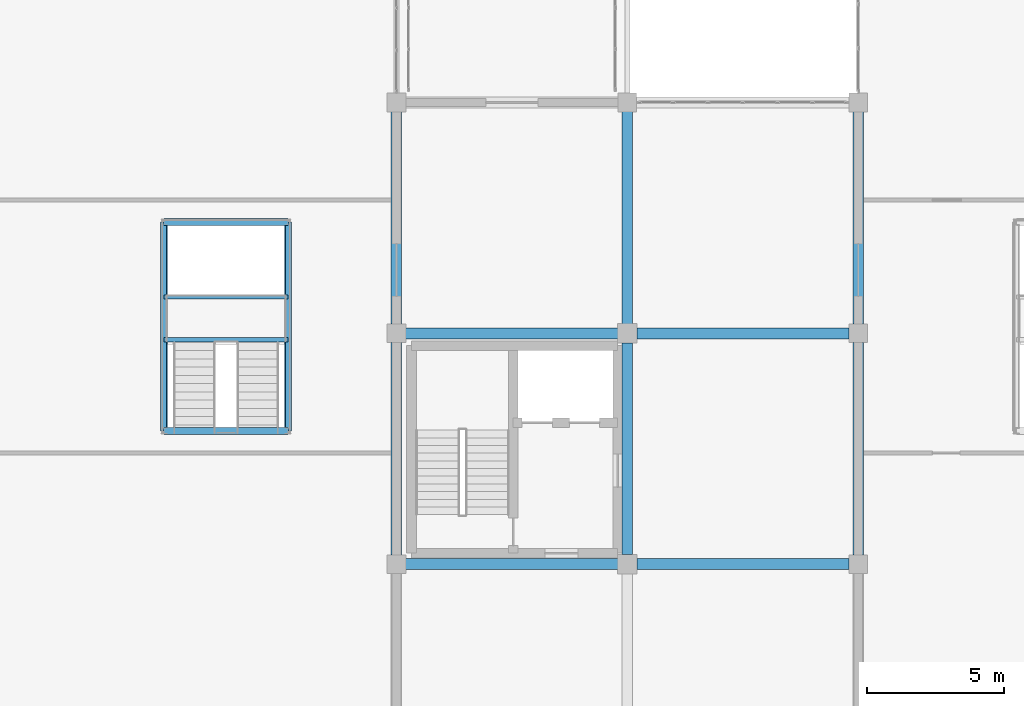
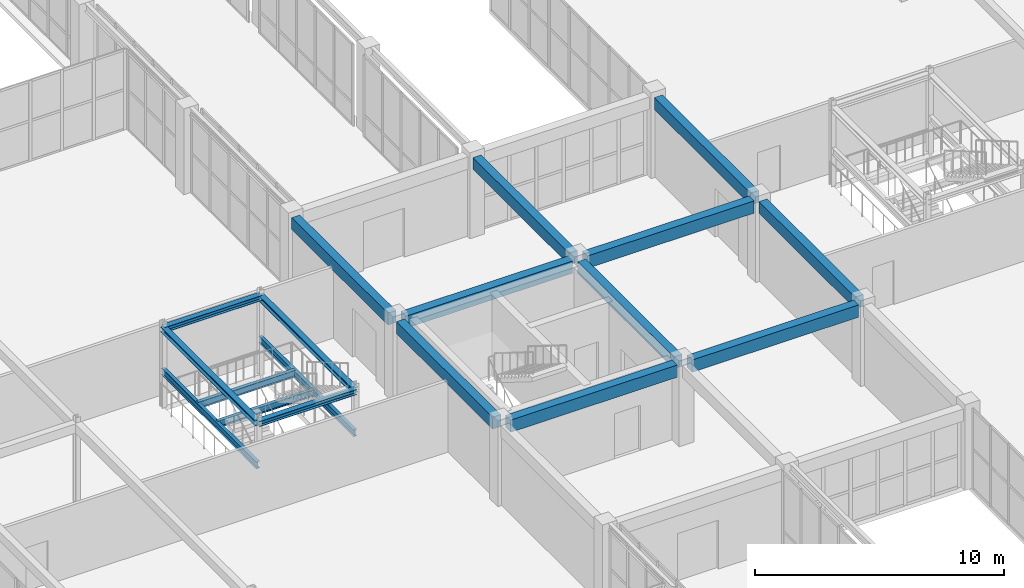
# One storey, part 40 of 140: 18 beams.
"""IFC4 building model written with IfcOpenShell, lengths in metres."""

from ifc_helpers import new_model, si_unit, direction, frame, origin, origin_2d, place, context, subcontext, project, spatial, rectangle, i_section, extrude, material, material_profile, profile_set, type_object, element, save


model = new_model("IFC4")

# Units and contexts
model_context = context("Model", 3, precision=1e-05, world=origin(), true_north=direction((0.0, 1.0)))
body_context = subcontext(model_context, "Body", "Model", "MODEL_VIEW")
ifc_project = project(units=[si_unit("LENGTHUNIT", "METRE"), si_unit("AREAUNIT", "SQUARE_METRE"), si_unit("VOLUMEUNIT", "CUBIC_METRE"), si_unit("PLANEANGLEUNIT", "RADIAN"), si_unit("MASSUNIT", "GRAM", prefix="KILO")], contexts=[model_context])

# Site, building, storey
site_placement = place(None, origin())
site = spatial("IfcSite", under=ifc_project, at=site_placement, CompositionType="ELEMENT")
building_placement = place(site_placement, origin())
building = spatial("IfcBuilding", under=site, at=building_placement, Name="Trelvath General Hospital", CompositionType="ELEMENT")
storey_placement = place(building_placement, frame((0.0, 0.0, 16.199951171875)))
storey = spatial("IfcBuildingStorey", under=building, at=storey_placement, Name="L04", CompositionType="ELEMENT", Elevation=16.199951171875)

# Beams
ifc_material_1 = material(Name="Concrete C35/45", Category="concrete")
ifc_material_profile_1 = material_profile(ifc_material_1, rectangle(XDim=0.3798828125, YDim=0.580078125, at=origin_2d()), Name="RCB380x580")
ifc_profile_set_1 = profile_set([ifc_material_profile_1], Name="Concrete C35/45")
beam_type_1 = type_object("IfcBeamType", Name="Beam RC380x580", PredefinedType="BEAM", material=ifc_profile_set_1)
for number, where, z_axis, x_axis, name in (
    (1, (75.60009765625, 50.735107421875, 3.630126953125), (0.0, 1.0, 0.0), (-1.0, 0.0, 0.0), "Grid Beam BY-409G"),
    (2, (75.60009765625, 59.135009765625, 3.630126953125), (0.0, 1.0, 0.0), (-1.0, 0.0, 0.0), "Grid Beam BY-409H"),
):
    element("IfcBeam", number, at=place(storey_placement, frame(where, z_axis=z_axis, x_axis=x_axis)), inside=storey, type_object=beam_type_1, Name=name, PredefinedType="BEAM", context=body_context, shape_type="SweptSolid", body=[
        extrude(rectangle(XDim=0.3798828125, YDim=0.580078125, at=origin_2d()), origin(), (0.0, 0.0, 1.0), 7.72998046875),
    ])
beam_1_placement = place(storey_placement, frame((84.0, 50.7451171875, 3.630126953125), z_axis=(0.0, 1.0, 0.0), x_axis=(-1.0, 0.0, 0.0)))
element("IfcBeam", 3, at=beam_1_placement, inside=storey, type_object=beam_type_1, Name="Grid Beam BY-410G", PredefinedType="BEAM", context=body_context, shape_type="SweptSolid", body=[
    extrude(rectangle(XDim=0.3798828125, YDim=0.580078125, at=origin_2d()), origin(), (0.0, 0.0, 1.0), 7.7099609375),
])
beam_2_placement = place(storey_placement, frame((84.0, 59.14501953125, 3.630126953125), z_axis=(0.0, 1.0, 0.0), x_axis=(-1.0, 0.0, 0.0)))
element("IfcBeam", 4, at=beam_2_placement, inside=storey, type_object=beam_type_1, Name="Grid Beam BY-410H", PredefinedType="BEAM", context=body_context, shape_type="SweptSolid", body=[
    extrude(rectangle(XDim=0.3798828125, YDim=0.580078125, at=origin_2d()), origin(), (0.0, 0.0, 1.0), 7.719970703125),
])
for number, where, z_axis, x_axis, name in (
    (5, (92.39990234375, 50.735107421875, 3.630126953125), (0.0, 1.0, 0.0), (-1.0, 0.0, 0.0), "Grid Beam BY-411G"),
    (6, (92.39990234375, 59.135009765625, 3.630126953125), (0.0, 1.0, 0.0), (-1.0, 0.0, 0.0), "Grid Beam BY-411H"),
):
    element("IfcBeam", number, at=place(storey_placement, frame(where, z_axis=z_axis, x_axis=x_axis)), inside=storey, type_object=beam_type_1, Name=name, PredefinedType="BEAM", context=body_context, shape_type="SweptSolid", body=[
        extrude(rectangle(XDim=0.3798828125, YDim=0.580078125, at=origin_2d()), origin(), (0.0, 0.0, 1.0), 7.72998046875),
    ])
ifc_material_2 = material(Name="Concrete C35/45", Category="concrete")
ifc_material_profile_2 = material_profile(ifc_material_2, rectangle(XDim=0.39990234375, YDim=0.60009765625, at=origin_2d()), Name="RCB400x600")
ifc_profile_set_2 = profile_set([ifc_material_profile_2], Name="Concrete C35/45")
beam_type_2 = type_object("IfcBeamType", Name="Beam RC400x600", PredefinedType="BEAM", material=ifc_profile_set_2)
for number, where, z_axis, x_axis, name in (
    (7, (75.93505859375, 50.39990234375, 3.6201171875), (1.0, 0.0, 0.0), (0.0, 1.0, 0.0), "Grid Beam BX-409G"),
    (8, (75.93505859375, 58.800048828125, 3.6201171875), (1.0, 0.0, 0.0), (0.0, 1.0, 0.0), "Grid Beam BX-409H"),
    (9, (84.344970703125, 50.39990234375, 3.6201171875), (1.0, 0.0, 0.0), (0.0, 1.0, 0.0), "Grid Beam BX-410G"),
    (10, (84.344970703125, 58.800048828125, 3.6201171875), (1.0, 0.0, 0.0), (0.0, 1.0, 0.0), "Grid Beam BX-410H"),
):
    element("IfcBeam", number, at=place(storey_placement, frame(where, z_axis=z_axis, x_axis=x_axis)), inside=storey, type_object=beam_type_2, Name=name, PredefinedType="BEAM", context=body_context, shape_type="SweptSolid", body=[
        extrude(rectangle(XDim=0.39990234375, YDim=0.60009765625, at=origin_2d()), origin(), (0.0, 0.0, 1.0), 7.719970703125),
    ])
ifc_material_3 = material(Name="Steel S355", Category="steel")
ifc_material_profile_3 = material_profile(ifc_material_3, i_section(OverallWidth=0.260009765625, OverallDepth=0.25, WebThickness=0.007568359375, FlangeThickness=0.012451171875, at=origin_2d()), Name="HEA260")
ifc_profile_set_3 = profile_set([ifc_material_profile_3], Name="Steel S355")
beam_type_3 = type_object("IfcBeamType", Name="RingBeam HEA260", PredefinedType="BEAM", material=ifc_profile_set_3)
for number, where, z_axis, x_axis, name in (
    (11, (67.14990234375, 55.25, 3.81494140625), (1.0, 0.0, 0.0), (0.0, 1.0, 0.0), "Atrium Ring Beam CUBE-W S L04"),
    (12, (67.14990234375, 62.85009765625, 3.81494140625), (1.0, 0.0, 0.0), (0.0, 1.0, 0.0), "Atrium Ring Beam CUBE-W N L04"),
):
    element("IfcBeam", number, at=place(storey_placement, frame(where, z_axis=z_axis, x_axis=x_axis)), inside=storey, type_object=beam_type_3, Name=name, PredefinedType="BEAM", context=body_context, shape_type="SweptSolid", body=[
        extrude(i_section(OverallWidth=0.260009765625, OverallDepth=0.25, WebThickness=0.007568359375, FlangeThickness=0.012451171875, at=origin_2d()), origin(), (0.0, 0.0, 1.0), 4.5),
    ])
for number, where, z_axis, x_axis, name in (
    (13, (67.14990234375, 55.25, 3.81494140625), (0.0, 1.0, 0.0), (-1.0, 0.0, 0.0), "Atrium Ring Beam CUBE-W W L04"),
    (14, (71.64990234375, 55.25, 3.81494140625), (0.0, 1.0, 0.0), (-1.0, 0.0, 0.0), "Atrium Ring Beam CUBE-W E L04"),
):
    element("IfcBeam", number, at=place(storey_placement, frame(where, z_axis=z_axis, x_axis=x_axis)), inside=storey, type_object=beam_type_3, Name=name, PredefinedType="BEAM", context=body_context, shape_type="SweptSolid", body=[
        extrude(i_section(OverallWidth=0.260009765625, OverallDepth=0.25, WebThickness=0.007568359375, FlangeThickness=0.012451171875, at=origin_2d()), origin(), (0.0, 0.0, 1.0), 7.60009765625),
    ])
ifc_material_4 = material(Name="Steel S355", Category="steel")
ifc_material_profile_4 = material_profile(ifc_material_4, i_section(OverallWidth=0.159912109375, OverallDepth=0.330078125, WebThickness=0.007568359375, FlangeThickness=0.011474609375, at=origin_2d()), Name="IPE330")
ifc_profile_set_4 = profile_set([ifc_material_profile_4], Name="Steel S355")
beam_type_4 = type_object("IfcBeamType", Name="StairLandingBeam IPE330", PredefinedType="BEAM", material=ifc_profile_set_4)
for number, where, z_axis, x_axis, name in (
    (15, (67.14990234375, 55.25, 1.735107421875), (0.0, 1.0, 0.0), (-1.0, 0.0, 0.0), "Cube Stair Stringer Beam CUBE-W W L04"),
    (16, (71.64990234375, 55.25, 1.735107421875), (0.0, 1.0, 0.0), (-1.0, 0.0, 0.0), "Cube Stair Stringer Beam CUBE-W E L04"),
):
    element("IfcBeam", number, at=place(storey_placement, frame(where, z_axis=z_axis, x_axis=x_axis)), inside=storey, type_object=beam_type_4, Name=name, PredefinedType="BEAM", context=body_context, shape_type="SweptSolid", body=[
        extrude(i_section(OverallWidth=0.159912109375, OverallDepth=0.330078125, WebThickness=0.007568359375, FlangeThickness=0.011474609375, at=origin_2d()), origin(), (0.0, 0.0, 1.0), 7.60009765625),
    ])
for number, where, z_axis, x_axis, name in (
    (17, (67.14990234375, 58.570068359375, 1.735107421875), (1.0, 0.0, 0.0), (0.0, 1.0, 0.0), "Cube Landing Cross Beam CUBE-W S L04"),
    (18, (67.14990234375, 60.1201171875, 1.735107421875), (1.0, 0.0, 0.0), (0.0, 1.0, 0.0), "Cube Landing Cross Beam CUBE-W N L04"),
):
    element("IfcBeam", number, at=place(storey_placement, frame(where, z_axis=z_axis, x_axis=x_axis)), inside=storey, type_object=beam_type_4, Name=name, PredefinedType="BEAM", context=body_context, shape_type="SweptSolid", body=[
        extrude(i_section(OverallWidth=0.159912109375, OverallDepth=0.330078125, WebThickness=0.007568359375, FlangeThickness=0.011474609375, at=origin_2d()), origin(), (0.0, 0.0, 1.0), 4.5),
    ])

save(model, "model.ifc")
